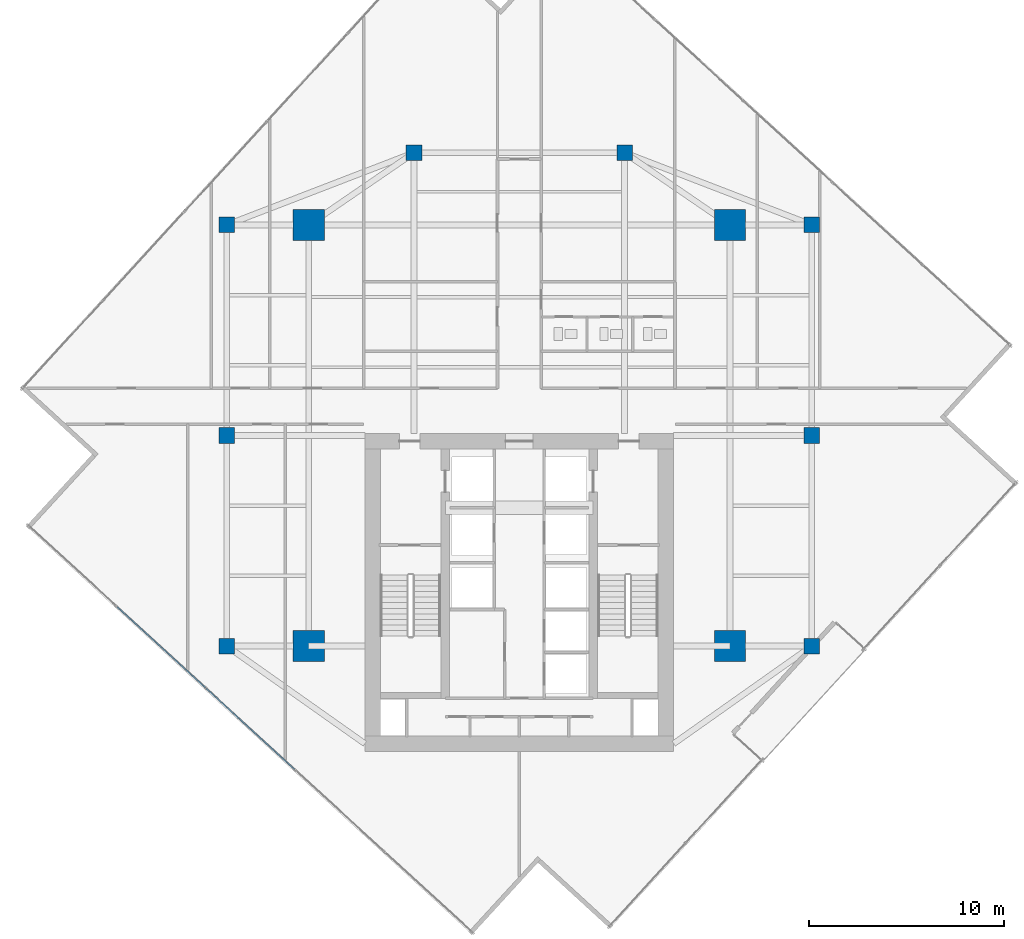
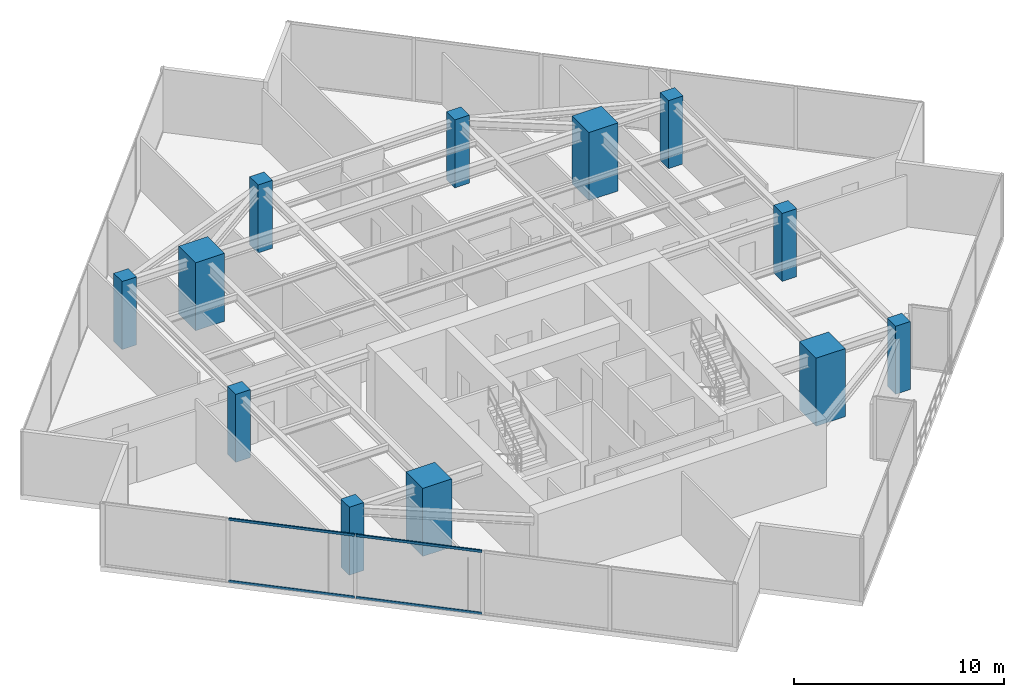
# One storey, part 1 of 26: 12 columns, 4 members, 1 element without a shape of its own.
"""IFC4 building model written with IfcOpenShell, lengths in metres."""

from ifc_helpers import new_model, si_unit, direction, frame, origin, origin_2d, place, context, subcontext, project, spatial, rectangle, hollow_rectangle, extrude, source, transform, mapped, material, material_profile, profile_set, type_object, type_shapes, element, aggregate, save


model = new_model("IFC4")

# Units and contexts
model_context = context("Model", 3, precision=1e-05, world=origin(), true_north=direction((0.0, 1.0)))
body_context = subcontext(model_context, "Body", "Model", "MODEL_VIEW")
ifc_project = project(units=[si_unit("LENGTHUNIT", "METRE"), si_unit("AREAUNIT", "SQUARE_METRE"), si_unit("VOLUMEUNIT", "CUBIC_METRE"), si_unit("PLANEANGLEUNIT", "RADIAN"), si_unit("MASSUNIT", "GRAM", prefix="KILO")], contexts=[model_context])

# Site, building, storey
site_placement = place(None, origin())
site = spatial("IfcSite", under=ifc_project, at=site_placement, CompositionType="ELEMENT")
building_placement = place(site_placement, origin())
building = spatial("IfcBuilding", under=site, at=building_placement, Name="Krantzveldt Concourse Tower", CompositionType="ELEMENT")
storey_placement = place(building_placement, frame((0.0, 0.0, 223.10009765625)))
storey = spatial("IfcBuildingStorey", under=building, at=storey_placement, Name="L54", CompositionType="ELEMENT", Elevation=223.10009765625)

# Columns
ifc_material_1 = material(Name="Concrete C50/60", Category="concrete")
ifc_material_profile_1 = material_profile(ifc_material_1, rectangle(XDim=1.60009765625, YDim=1.60009765625, at=origin_2d()), Name="Concrete C50/60", Category="concrete")
ifc_profile_set_1 = profile_set([ifc_material_profile_1], Name="Concrete C50/60 - RC 1600x1600")
column_type_1 = type_object("IfcColumnType", Name="COL-MC-1600", PredefinedType="USERDEFINED", material=ifc_profile_set_1)
shared_shape_1 = source(origin(), body_context, "Body", "SweptSolid", [
    extrude(rectangle(XDim=1.60009765625, YDim=1.60009765625, at=origin_2d()), origin(), (0.0, 0.0, 1.0), 3.949951171875),
])
type_shapes(column_type_1, [shared_shape_1])
for number, where, z_axis, x_axis, name in (
    (1, (25.199951171875, 15.89990234375, 0.0), (0.0, 0.0, 1.0), (1.0, 0.0, 0.0), "MC-SW-L54"),
    (2, (46.800048828125, 15.89990234375, 0.0), (0.0, 0.0, 1.0), (1.0, 0.0, 0.0), "MC-SE-L54"),
    (3, (46.800048828125, 37.5, 0.0), (0.0, 0.0, 1.0), (1.0, 0.0, 0.0), "MC-NE-L54"),
    (4, (25.199951171875, 37.5, 0.0), (0.0, 0.0, 1.0), (1.0, 0.0, 0.0), "MC-NW-L54"),
):
    element("IfcColumn", number, at=place(storey_placement, frame(where, z_axis=z_axis, x_axis=x_axis)), inside=storey, type_object=column_type_1, Name=name, ObjectType="MEGA COLUMN", PredefinedType="USERDEFINED", context=body_context, shape_type="MappedRepresentation", body=[
        mapped(shared_shape_1, transform((0.0, 0.0, 0.0), x_axis=(1.0, 0.0, 0.0), y_axis=(0.0, 1.0, 0.0), z_axis=(0.0, 0.0, 1.0), scale=1.0)),
    ])
ifc_material_profile_2 = material_profile(ifc_material_1, rectangle(XDim=0.800048828125, YDim=0.800048828125, at=origin_2d()), Name="Concrete C50/60", Category="concrete")
ifc_profile_set_2 = profile_set([ifc_material_profile_2], Name="Concrete C50/60 - RC 800x800")
column_type_2 = type_object("IfcColumnType", Name="COL-C-Z4", PredefinedType="COLUMN", material=ifc_profile_set_2)
shared_shape_2 = source(origin(), body_context, "Body", "SweptSolid", [
    extrude(rectangle(XDim=0.800048828125, YDim=0.800048828125, at=origin_2d()), origin(), (0.0, 0.0, 1.0), 3.949951171875),
])
type_shapes(column_type_2, [shared_shape_2])
for number, where, z_axis, x_axis, name in (
    (5, (21.0, 15.89990234375, 0.0), (0.0, 0.0, 1.0), (1.0, 0.0, 0.0), "PC-R01-L54"),
    (6, (21.0, 26.699951171875, 0.0), (0.0, 0.0, 1.0), (1.0, 0.0, 0.0), "PC-R02-L54"),
    (7, (21.0, 37.5, 0.0), (0.0, 0.0, 1.0), (1.0, 0.0, 0.0), "PC-R03-L54"),
    (8, (30.60009765625, 41.199951171875, 0.0), (0.0, 0.0, 1.0), (1.0, 0.0, 0.0), "PC-R04-L54"),
    (9, (41.39990234375, 41.199951171875, 0.0), (0.0, 0.0, 1.0), (1.0, 0.0, 0.0), "PC-R05-L54"),
    (10, (51.0, 37.5, 0.0), (0.0, 0.0, 1.0), (1.0, 0.0, 0.0), "PC-R06-L54"),
    (11, (51.0, 26.699951171875, 0.0), (0.0, 0.0, 1.0), (1.0, 0.0, 0.0), "PC-R07-L54"),
    (12, (51.0, 15.89990234375, 0.0), (0.0, 0.0, 1.0), (1.0, 0.0, 0.0), "PC-R08-L54"),
):
    element("IfcColumn", number, at=place(storey_placement, frame(where, z_axis=z_axis, x_axis=x_axis)), inside=storey, type_object=column_type_2, Name=name, PredefinedType="COLUMN", context=body_context, shape_type="MappedRepresentation", body=[
        mapped(shared_shape_2, transform((0.0, 0.0, 0.0), x_axis=(1.0, 0.0, 0.0), y_axis=(0.0, 1.0, 0.0), z_axis=(0.0, 0.0, 1.0), scale=1.0)),
    ])

# Curtain wall, members
ifc_material_2 = material(Name="Anodised aluminium 6063-T6", Category="aluminium")
curtain_wall_type = type_object("IfcCurtainWallType", Name="CW3", PredefinedType="USERDEFINED", material=ifc_material_2)
curtain_wall_placement = place(storey_placement, origin())
curtain_wall = element("IfcCurtainWall", 13, at=curtain_wall_placement, inside=storey, type_object=curtain_wall_type, Name="CW-L54-F04", ObjectType="UNITISED CURTAIN WALL", PredefinedType="USERDEFINED")
ifc_material_profile_3 = material_profile(ifc_material_2, hollow_rectangle(XDim=0.070068359375, YDim=0.139892578125, WallThickness=0.0048828125, at=origin_2d()), Name="Anodised aluminium 6063-T6", Category="aluminium")
ifc_profile_set_3 = profile_set([ifc_material_profile_3], Name="Anodised aluminium 6063-T6 - ALU-TRAN 140x70x5")
member_type = type_object("IfcMemberType", Name="CW-TRN-150", PredefinedType="USERDEFINED", material=ifc_profile_set_3)
shared_shape_3 = source(origin(), body_context, "Body", "SweptSolid", [
    extrude(hollow_rectangle(XDim=0.070068359375, YDim=0.139892578125, WallThickness=0.0048828125, at=origin_2d()), origin(), (0.0, 0.0, 1.0), 6.130126953125),
])
type_shapes(member_type, [shared_shape_3])
member_1_placement = place(storey_placement, frame((15.38037109375, 17.91162109375, 0.034912109375), z_axis=(0.737259933213, -0.675609199818, 0.0), x_axis=(0.675609199818, 0.737259933213, 0.0)))
member_1 = element("IfcMember", 14, at=member_1_placement, type_object=member_type, Name="CW-Z34 transom 2.1", ObjectType="TRANSOM", PredefinedType="USERDEFINED", context=body_context, shape_type="MappedRepresentation", body=[
    mapped(shared_shape_3, transform((0.0, 0.0, 0.0), x_axis=(1.0, 0.0, 0.0), y_axis=(0.0, 1.0, 0.0), z_axis=(0.0, 0.0, 1.0), scale=1.0)),
])
member_2_placement = place(storey_placement, frame((15.38037109375, 17.91162109375, 3.635009765625), z_axis=(0.737259933213, -0.675609199818, 0.0), x_axis=(0.675609199818, 0.737259933213, 0.0)))
member_2 = element("IfcMember", 15, at=member_2_placement, type_object=member_type, Name="CW-Z34 transom 2.2", ObjectType="TRANSOM", PredefinedType="USERDEFINED", context=body_context, shape_type="MappedRepresentation", body=[
    mapped(shared_shape_3, transform((0.0, 0.0, 0.0), x_axis=(1.0, 0.0, 0.0), y_axis=(0.0, 1.0, 0.0), z_axis=(0.0, 0.0, 1.0), scale=1.0)),
])
member_3_placement = place(storey_placement, frame((19.951416015625, 13.722900390625, 0.034912109375), z_axis=(0.737279770771, -0.675587551404, 0.0), x_axis=(0.675587551404, 0.737279770771, 0.0)))
member_3 = element("IfcMember", 16, at=member_3_placement, type_object=member_type, Name="CW-Z34 transom 3.1", ObjectType="TRANSOM", PredefinedType="USERDEFINED", context=body_context, shape_type="MappedRepresentation", body=[
    mapped(shared_shape_3, transform((0.0, 0.0, 0.0), x_axis=(1.0, 0.0, 0.0), y_axis=(0.0, 1.0, 0.0), z_axis=(0.0, 0.0, 1.0), scale=1.0)),
])
member_4_placement = place(storey_placement, frame((19.951416015625, 13.722900390625, 3.635009765625), z_axis=(0.737279770771, -0.675587551404, 0.0), x_axis=(0.675587551404, 0.737279770771, 0.0)))
member_4 = element("IfcMember", 17, at=member_4_placement, type_object=member_type, Name="CW-Z34 transom 3.2", ObjectType="TRANSOM", PredefinedType="USERDEFINED", context=body_context, shape_type="MappedRepresentation", body=[
    mapped(shared_shape_3, transform((0.0, 0.0, 0.0), x_axis=(1.0, 0.0, 0.0), y_axis=(0.0, 1.0, 0.0), z_axis=(0.0, 0.0, 1.0), scale=1.0)),
])
aggregate(curtain_wall, [member_1, member_2, member_3, member_4])

save(model, "model.ifc")
